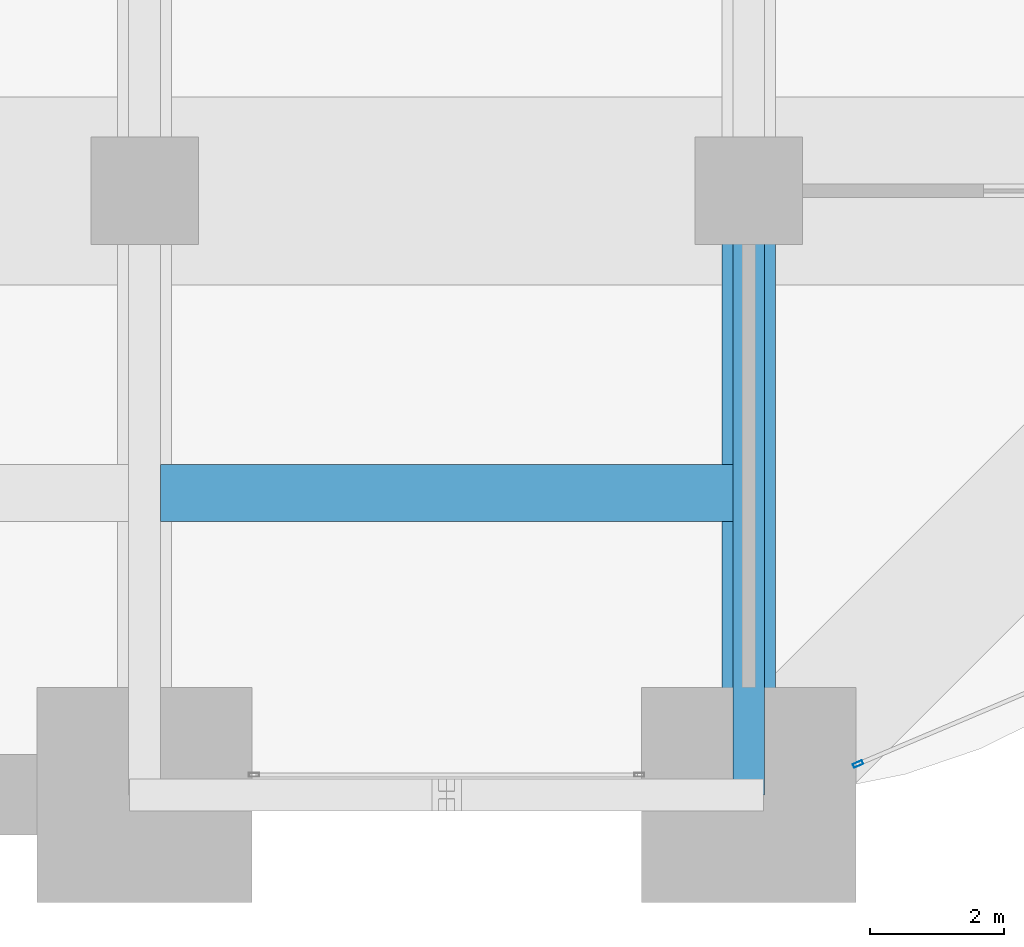
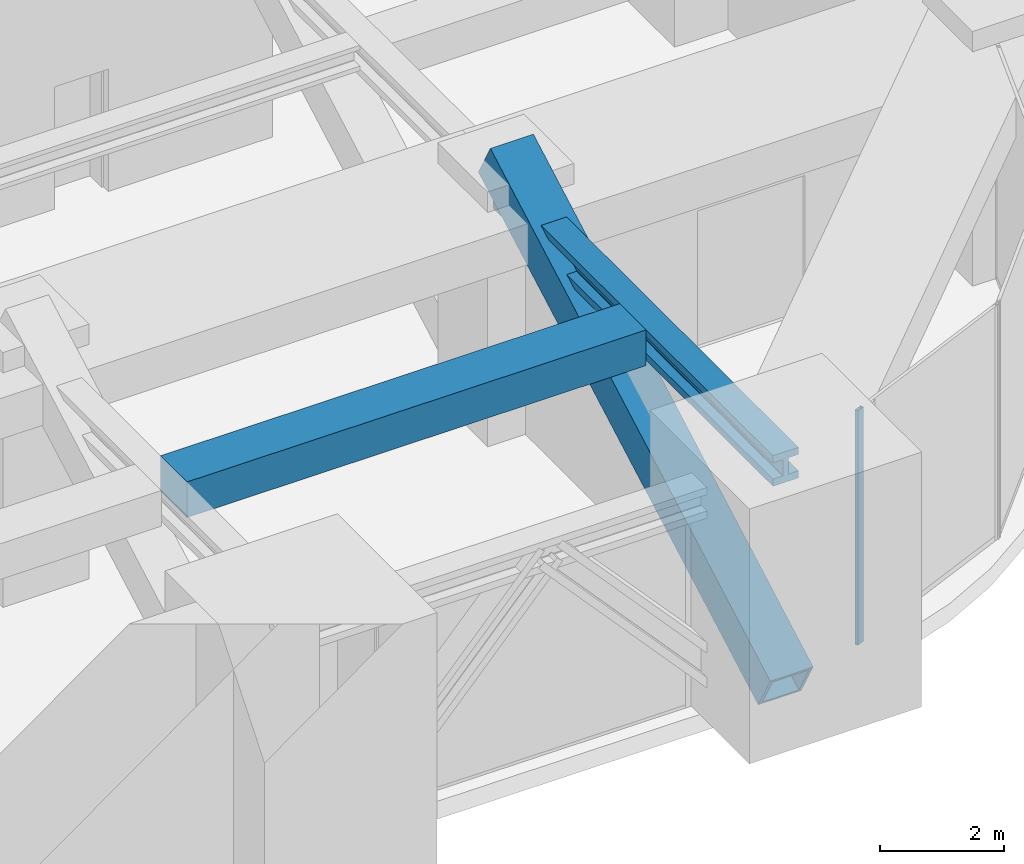
# One storey, part 9 of 32: 2 beams, 2 members, 1 element without a shape of its own.
"""IFC4 building model written with IfcOpenShell, lengths in metres."""

import ifcopenshell
import ifcopenshell.guid

model = None  # the IFC model being written
_history = None  # IfcOwnerHistory: only IFC2X3 demands one
_inside = {}  # id of a spatial element -> (the spatial element, [elements in it])
_under = {}  # id of a project, library or spatial element -> (it, [spatial elements below it])
_declared = {}  # id of a project -> (the project, [libraries it declares])
_typed = {}  # id of a type object -> (the type object, [elements of that type])
_made_of = {}  # id of a material, layer set ... -> (it, [elements and type objects made of it])


def new_model(schema):
    """Start an empty IFC model of exactly this schema.

    Asked for "IFC4X3", IfcOpenShell would pick the latest addendum, in which some entities
    have other attributes; the version numbers below select the first issue.
    IFC2X3 requires an IfcOwnerHistory on every rooted entity: one is made here for all.
    """
    global model, _history
    if schema == "IFC4X3":
        model = ifcopenshell.file(schema_version=(4, 3, 0, 0))
    else:
        model = ifcopenshell.file(schema=schema)
    _inside.clear()
    _under.clear()
    _declared.clear()
    _typed.clear()
    _made_of.clear()
    _history = None
    if model.schema == "IFC2X3":
        org = make("IfcOrganization", Name="unknown")
        user = make(
            "IfcPersonAndOrganization",
            ThePerson=make("IfcPerson", FamilyName="unknown"),
            TheOrganization=org,
        )
        app = make(
            "IfcApplication",
            ApplicationDeveloper=org,
            Version="unknown",
            ApplicationFullName="unknown",
            ApplicationIdentifier="unknown",
        )
        _history = make(
            "IfcOwnerHistory",
            OwningUser=user,
            OwningApplication=app,
            ChangeAction="ADDED",
            CreationDate=0,
        )
    return model


def make(cls, **values):
    """One entity of the class cls with the attributes given. An attribute that is None is left unset."""
    return model.create_entity(
        cls, **{name: value for name, value in values.items() if value is not None}
    )


def rooted(cls, **values):
    """An entity with a GlobalId (a new one), such as an element, a storey or a relation."""
    return make(cls, GlobalId=ifcopenshell.guid.new(), OwnerHistory=_history, **values)


def si_unit(unit_type, name, prefix=None):
    """IfcSIUnit, for example si_unit("LENGTHUNIT", "METRE", prefix="MILLI")."""
    return make("IfcSIUnit", UnitType=unit_type, Prefix=prefix, Name=name)


def assignment(units):
    """IfcUnitAssignment: the units of a project."""
    return None if units is None else make("IfcUnitAssignment", Units=units)


def point(xyz):
    """IfcCartesianPoint."""
    return None if xyz is None else make("IfcCartesianPoint", Coordinates=xyz)


def direction(xyz):
    """IfcDirection."""
    return None if xyz is None else make("IfcDirection", DirectionRatios=xyz)


def frame(location, z_axis=None, x_axis=None):
    """IfcAxis2Placement3D, a coordinate frame: its origin and axes. An axis left out is left unset."""
    return make(
        "IfcAxis2Placement3D",
        Location=point(location),
        Axis=direction(z_axis),
        RefDirection=direction(x_axis),
    )


def frame_2d(location, x_axis=None):
    """IfcAxis2Placement2D, a coordinate frame in the plane: its origin and x axis."""
    return make(
        "IfcAxis2Placement2D", Location=point(location), RefDirection=direction(x_axis)
    )


def origin():
    """The frame at (0, 0, 0) with its axes left unset."""
    return frame((0.0, 0.0, 0.0))


def origin_2d():
    """The frame at (0, 0) in the plane with its x axis left unset."""
    return frame_2d((0.0, 0.0))


def place(relative_to, where):
    """IfcLocalPlacement: puts the frame where relative to a parent placement (None: the world)."""
    return make(
        "IfcLocalPlacement", PlacementRelTo=relative_to, RelativePlacement=where
    )


def context(
    kind, dimensions, precision=None, world=None, true_north=None, identifier=None
):
    """IfcGeometricRepresentationContext, for example the 3D "Model" context."""
    return make(
        "IfcGeometricRepresentationContext",
        ContextIdentifier=identifier,
        ContextType=kind,
        CoordinateSpaceDimension=dimensions,
        Precision=precision,
        WorldCoordinateSystem=world,
        TrueNorth=true_north,
    )


def subcontext(parent, identifier, kind, view, scale=None):
    """IfcGeometricRepresentationSubContext, for example "Body" below "Model"."""
    return make(
        "IfcGeometricRepresentationSubContext",
        ContextIdentifier=identifier,
        ContextType=kind,
        ParentContext=parent,
        TargetScale=scale,
        TargetView=view,
    )


def project(units=None, contexts=None):
    """IfcProject with its units and contexts."""
    return rooted(
        "IfcProject",
        Name="project",
        RepresentationContexts=contexts,
        UnitsInContext=assignment(units),
    )


def spatial(cls, under=None, at=None, **own):
    """A site, building, storey or space (cls), placed at a placement, below another one or the project."""
    s = rooted(cls, ObjectPlacement=at, **own)
    if under is not None:
        _under.setdefault(under.id(), (under, []))[1].append(s)
    return s


def profile(cls, at=None, kind="AREA", **sizes):
    """A parametric profile (cls). Its sizes go by their IFC names, for example OverallWidth=200.0."""
    return make(cls, ProfileType=kind, Position=at, **sizes)


def rectangle(**sizes):
    """IfcRectangleProfileDef."""
    return profile("IfcRectangleProfileDef", **sizes)


def hollow_rectangle(**sizes):
    """IfcRectangleHollowProfileDef."""
    return profile("IfcRectangleHollowProfileDef", **sizes)


def i_section(**sizes):
    """IfcIShapeProfileDef."""
    return profile("IfcIShapeProfileDef", **sizes)


def extrude(swept, where, along, depth):
    """IfcExtrudedAreaSolid: the profile swept, set in the frame where, extruded along a direction by depth."""
    return make(
        "IfcExtrudedAreaSolid",
        SweptArea=swept,
        Position=where,
        ExtrudedDirection=direction(along),
        Depth=depth,
    )


def shape(context_of_items, identifier, shape_type, items):
    """IfcShapeRepresentation: the items that make up one representation, for example the "Body"."""
    return make(
        "IfcShapeRepresentation",
        ContextOfItems=context_of_items,
        RepresentationIdentifier=identifier,
        RepresentationType=shape_type,
        Items=items,
    )


def material(Name=None, Category=None):
    """IfcMaterial."""
    return make("IfcMaterial", Name=Name, Category=Category)


def material_profile(
    of_material, cross_section, Name=None, Category=None, Priority=None
):
    """IfcMaterialProfile: a cross section and its material."""
    return make(
        "IfcMaterialProfile",
        Name=Name,
        Material=of_material,
        Profile=cross_section,
        Priority=Priority,
        Category=Category,
    )


def profile_set(profiles, Name=None, composite=None):
    """IfcMaterialProfileSet."""
    return make(
        "IfcMaterialProfileSet",
        Name=Name,
        MaterialProfiles=profiles,
        CompositeProfile=composite,
    )


def made_of(thing, what):
    """Note that an element or type object is made of a material, layer set ...; save() writes the relation."""
    if what is not None:
        _made_of.setdefault(what.id(), (what, []))[1].append(thing)
    return thing


def type_object(cls, material=None, **own):
    """A type object (cls), such as IfcWallType, which elements share."""
    return made_of(rooted(cls, **own), material)


def element(
    cls,
    number,
    at=None,
    inside=None,
    cuts=None,
    type_object=None,
    material=None,
    context=None,
    identifier="Body",
    shape_type=None,
    held_by="IfcProductDefinitionShape",
    body=None,
    shapes=None,
    **own,
):
    """One element of the class cls, such as IfcWall. Its Tag is "e" and its number.

    at: its placement. inside: the storey or other place that contains it. cuts: it is an
    opening in that element (IfcRelVoidsElement). A single representation is given by context,
    identifier, shape_type and body (its items); several are given by shapes. held_by: the class
    of the entity that holds the representations. save() writes the other relations.
    """
    e = rooted(cls, Tag="e%d" % number, ObjectPlacement=at, **own)
    if body is not None:
        shapes = [shape(context, identifier, shape_type, body)]
    if shapes is not None:
        e.Representation = make(held_by, Representations=shapes)
    if inside is not None:
        _inside.setdefault(inside.id(), (inside, []))[1].append(e)
    if cuts is not None:
        rooted(
            "IfcRelVoidsElement", RelatingBuildingElement=cuts, RelatedOpeningElement=e
        )
    if type_object is not None:
        _typed.setdefault(type_object.id(), (type_object, []))[1].append(e)
    return made_of(e, material)


def aggregate(whole, parts):
    """IfcRelAggregates: a whole, such as a stair, and the parts it consists of."""
    return rooted("IfcRelAggregates", RelatingObject=whole, RelatedObjects=parts)


def save(model, path):
    """Write the relations noted so far, then the file.

    IfcRelAggregates (storeys below a building ...), IfcRelContainedInSpatialStructure (elements
    in a storey), IfcRelDefinesByType, IfcRelAssociatesMaterial and IfcRelDeclares: one each for
    every whole, place, type object, material and project.
    """
    for whole, parts in _under.values():
        aggregate(whole, parts)
    for where, things in _inside.values():
        rooted(
            "IfcRelContainedInSpatialStructure",
            RelatedElements=things,
            RelatingStructure=where,
        )
    for kind, things in _typed.values():
        rooted("IfcRelDefinesByType", RelatedObjects=things, RelatingType=kind)
    for what, things in _made_of.values():
        rooted("IfcRelAssociatesMaterial", RelatedObjects=things, RelatingMaterial=what)
    for by, libraries in _declared.values():
        rooted("IfcRelDeclares", RelatingContext=by, RelatedDefinitions=libraries)
    model.write(path)


model = new_model("IFC4")

# Units and contexts
model_context = context("Model", 3, precision=1e-05, world=origin(), true_north=direction((0.0, 1.0)))
body_context = subcontext(model_context, "Body", "Model", "MODEL_VIEW")
ifc_project = project(units=[si_unit("LENGTHUNIT", "METRE"), si_unit("AREAUNIT", "SQUARE_METRE"), si_unit("VOLUMEUNIT", "CUBIC_METRE"), si_unit("PLANEANGLEUNIT", "RADIAN"), si_unit("MASSUNIT", "GRAM", prefix="KILO")], contexts=[model_context])

# Site, building, storey
site_placement = place(None, origin())
site = spatial("IfcSite", under=ifc_project, at=site_placement, CompositionType="ELEMENT")
building_placement = place(site_placement, origin())
building = spatial("IfcBuilding", under=site, at=building_placement, Name="Zorevar Civic Tower", CompositionType="ELEMENT")
storey_placement = place(building_placement, frame((0.0, 0.0, 234.39990234375)))
storey = spatial("IfcBuildingStorey", under=building, at=storey_placement, Name="L57", CompositionType="ELEMENT", Elevation=234.39990234375)

# Beam
ifc_material_1 = material(Name="Concrete C50/60", Category="concrete")
ifc_material_profile_1 = material_profile(ifc_material_1, rectangle(XDim=0.85009765625, YDim=0.699951171875, at=origin_2d()), Name="RC 850x700")
ifc_profile_set_1 = profile_set([ifc_material_profile_1], Name="Concrete C50/60")
beam_type_1 = type_object("IfcBeamType", Name="Beam RC 850x700", PredefinedType="BEAM", material=ifc_profile_set_1)
beam_1_placement = place(storey_placement, frame((36.238037109375, 4.5, 4.25), z_axis=(1.0, 0.0, 0.0), x_axis=(0.0, 1.0, 0.0)))
element("IfcBeam", 1, at=beam_1_placement, inside=storey, type_object=beam_type_1, Name="Secondary beam L58", PredefinedType="BEAM", context=body_context, shape_type="SweptSolid", body=[
    extrude(rectangle(XDim=0.85009765625, YDim=0.699951171875, at=origin_2d()), origin(), (0.0, 0.0, 1.0), 8.52392578125),
])

# Curtain wall, member
ifc_material_2 = material(Name="Black aluminium louvres", Category="aluminium")
curtain_wall_type = type_object("IfcCurtainWallType", Name="Louvred curtain wall CW6 refuge", PredefinedType="NOTDEFINED", material=ifc_material_2)
curtain_wall_placement = place(storey_placement, origin())
curtain_wall = element("IfcCurtainWall", 2, at=curtain_wall_placement, inside=storey, type_object=curtain_wall_type, Name="CW6 L57", PredefinedType="NOTDEFINED")
ifc_material_3 = material(Name="Aluminium, black anodised", Category="aluminium")
ifc_material_profile_2 = material_profile(ifc_material_3, hollow_rectangle(XDim=0.06005859375, YDim=0.14990234375, WallThickness=0.00390625, at=origin_2d()), Name="AL 150x60x4")
ifc_profile_set_2 = profile_set([ifc_material_profile_2], Name="Aluminium, black anodised")
member_type_1 = type_object("IfcMemberType", Name="CW6 mullion AL 150x60x4", PredefinedType="MULLION", material=ifc_profile_set_2)
member_1_placement = place(storey_placement, frame((46.627685546875, 0.460205078125, 0.0), z_axis=(0.0, 0.0, 1.0), x_axis=(-0.389965213734, 0.920829589054, 0.0)))
member_1 = element("IfcMember", 3, at=member_1_placement, type_object=member_type_1, Name="CW6 mullion 1", PredefinedType="MULLION", context=body_context, shape_type="SweptSolid", body=[
    extrude(hollow_rectangle(XDim=0.06005859375, YDim=0.14990234375, WallThickness=0.00390625, at=origin_2d()), origin(), (0.0, 0.0, 1.0), 4.60009765625),
])
aggregate(curtain_wall, [member_1])

# Beam
ifc_material_4 = material(Name="Steel S460M (HISTAR 460)", Category="steel")
ifc_material_profile_3 = material_profile(ifc_material_4, i_section(OverallWidth=0.47607421875, OverallDepth=0.60009765625, WebThickness=0.10009765625, FlangeThickness=0.139892578125, FilletRadius=0.014892578125, at=origin_2d()), Name="HD 400x1299")
ifc_profile_set_3 = profile_set([ifc_material_profile_3], Name="Steel S460M (HISTAR 460)")
beam_type_2 = type_object("IfcBeamType", Name="Outrigger chord HD 400x1299", PredefinedType="BEAM", material=ifc_profile_set_3)
beam_2_placement = place(storey_placement, frame((45.0, 0.0, 4.300048828125), z_axis=(0.0, 1.0, 0.0), x_axis=(-1.0, 0.0, 0.0)))
element("IfcBeam", 4, at=beam_2_placement, inside=storey, type_object=beam_type_2, Name="Outrigger chord L58", PredefinedType="BEAM", context=body_context, shape_type="SweptSolid", body=[
    extrude(i_section(OverallWidth=0.47607421875, OverallDepth=0.60009765625, WebThickness=0.10009765625, FlangeThickness=0.139892578125, FilletRadius=0.014892578125, at=origin_2d()), origin(), (0.0, 0.0, 1.0), 9.0),
])

# Member
ifc_material_5 = material(Name="Steel S460M (HISTAR 460)", Category="steel")
ifc_material_profile_4 = material_profile(ifc_material_5, hollow_rectangle(XDim=0.800048828125, YDim=0.800048828125, WallThickness=0.06005859375, at=origin_2d()), Name="BOX 800x800x60")
ifc_profile_set_4 = profile_set([ifc_material_profile_4], Name="Steel S460M (HISTAR 460)")
member_type_2 = type_object("IfcMemberType", Name="Outrigger diagonal BOX 800x800x60", PredefinedType="BRACE", material=ifc_profile_set_4)
member_2_placement = place(storey_placement, frame((45.0, 9.0, 5.0), z_axis=(0.0, -0.874157276122, -0.485642931179), x_axis=(1.0, 0.0, 0.0)))
element("IfcMember", 5, at=member_2_placement, inside=storey, type_object=member_type_2, Name="Outrigger diagonal S L57", PredefinedType="BRACE", context=body_context, shape_type="SweptSolid", body=[
    extrude(hollow_rectangle(XDim=0.800048828125, YDim=0.800048828125, WallThickness=0.06005859375, at=origin_2d()), origin(), (0.0, 0.0, 1.0), 10.295654296875),
])

save(model, "model.ifc")
